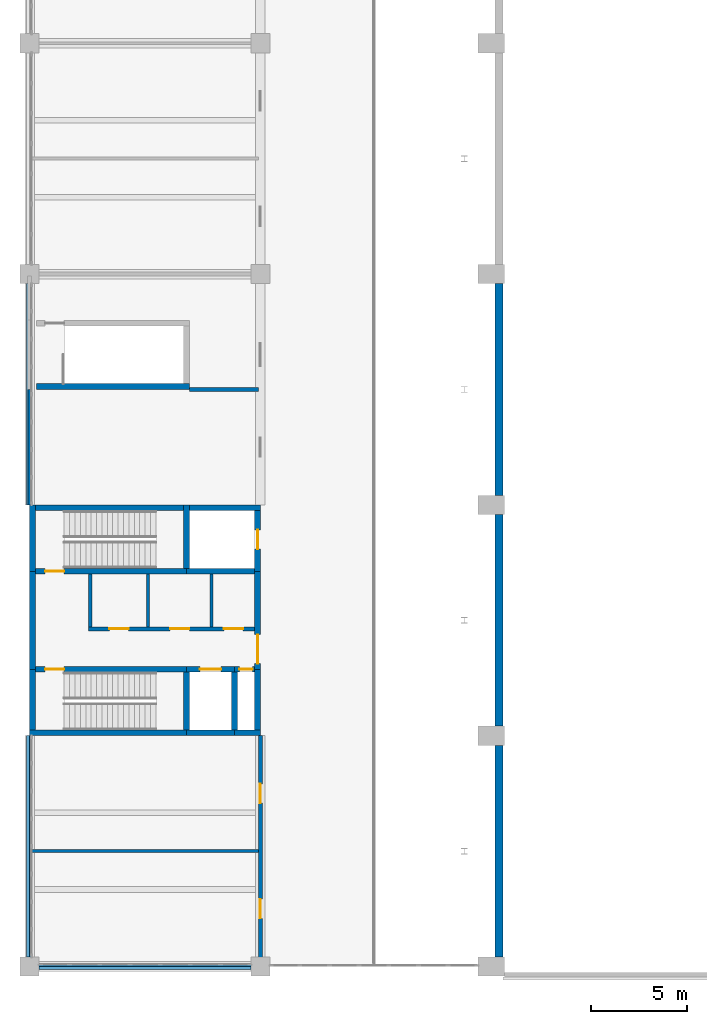
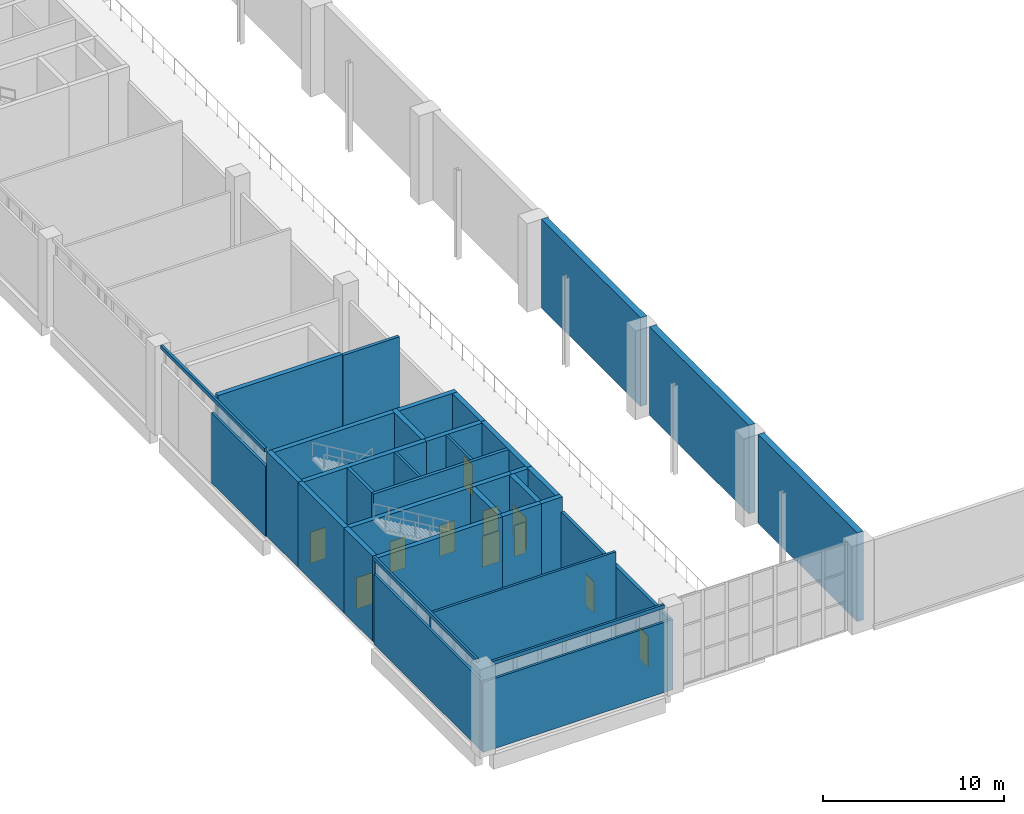
# One storey, part 50 of 72: 36 walls, 11 doors, 11 openings.
"""IFC4 building model written with IfcOpenShell, lengths in metres."""

from ifc_helpers import new_model, si_unit, direction, frame, frame_2d, origin, place, context, subcontext, project, spatial, rectangle, extrude, material, layer, layer_set, type_object, element, fill, save


model = new_model("IFC4")

# Units and contexts
model_context = context("Model", 3, precision=1e-05, world=origin(), true_north=direction((0.0, 1.0)))
body_context = subcontext(model_context, "Body", "Model", "MODEL_VIEW")
ifc_project = project(units=[si_unit("LENGTHUNIT", "METRE"), si_unit("AREAUNIT", "SQUARE_METRE"), si_unit("VOLUMEUNIT", "CUBIC_METRE"), si_unit("PLANEANGLEUNIT", "RADIAN"), si_unit("MASSUNIT", "GRAM", prefix="KILO")], contexts=[model_context])

# Site, building, storey
site_placement = place(None, origin())
site = spatial("IfcSite", under=ifc_project, at=site_placement, CompositionType="ELEMENT")
building_placement = place(site_placement, origin())
building = spatial("IfcBuilding", under=site, at=building_placement, Name="Lilac Gate Convention Centre", CompositionType="ELEMENT")
storey_placement = place(building_placement, frame((0.0, 0.0, 6.0)))
storey = spatial("IfcBuildingStorey", under=building, at=storey_placement, Name="L01", CompositionType="ELEMENT", Elevation=6.0)

# Walls
ifc_material_1 = material(Name="Concrete C30", Category="concrete")
ifc_layer_1 = layer(ifc_material_1, 0.39990234375)
ifc_layer_set_1 = layer_set([ifc_layer_1], Name="Concrete C30")
wall_type_1 = type_object("IfcWallType", Name="Hall fire wall 400", PredefinedType="SOLIDWALL", material=ifc_layer_set_1)
for number, where, z_axis, x_axis, name in (
    (1, (30.39990234375, 30.5, 0.0), (0.0, 0.0, 1.0), (0.0, 1.0, 0.0), "Fire wall galleria FW L01 1"),
    (2, (30.39990234375, 42.5, 0.0), (0.0, 0.0, 1.0), (0.0, 1.0, 0.0), "Fire wall galleria FW L01 2"),
    (3, (30.39990234375, 54.5, 0.0), (0.0, 0.0, 1.0), (0.0, 1.0, 0.0), "Fire wall galleria FW L01 3"),
):
    element("IfcWall", number, at=place(storey_placement, frame(where, z_axis=z_axis, x_axis=x_axis)), inside=storey, type_object=wall_type_1, Name=name, PredefinedType="SOLIDWALL", context=body_context, shape_type="SweptSolid", body=[
        extrude(rectangle(XDim=11.0, YDim=0.39990234375, at=frame_2d((5.5, 0.0))), origin(), (0.0, 0.0, 1.0), 6.0),
    ])
ifc_material_2 = material(Name="Fire-rated gypsum board on steel stud", Category="steel")
ifc_layer_2 = layer(ifc_material_2, 0.14990234375)
ifc_layer_set_2 = layer_set([ifc_layer_2], Name="Fire-rated gypsum board on steel stud")
wall_type_2 = type_object("IfcWallType", Name="Partition 150 fire-rated gypsum board EI 60", PredefinedType="PARTITIONING", material=ifc_layer_set_2)
wall_1_placement = place(storey_placement, frame((5.925048828125, 30.0, 0.0), z_axis=(0.0, 0.0, 1.0), x_axis=(1.0, 0.0, 0.0)))
element("IfcWall", 4, at=wall_1_placement, inside=storey, type_object=wall_type_2, Name="Partition 150 fire-rated gypsum board EI 60", PredefinedType="PARTITIONING", context=body_context, shape_type="SweptSolid", body=[
    extrude(rectangle(XDim=12.175048828125, YDim=0.14990234375, at=frame_2d((6.08740234375, 0.0))), origin(), (0.0, 0.0, 1.0), 4.75),
])
wall_2_placement = place(storey_placement, frame((6.074951171875, 36.0, 0.0), z_axis=(0.0, 0.0, 1.0), x_axis=(1.0, 0.0, 0.0)))
element("IfcWall", 5, at=wall_2_placement, inside=storey, type_object=wall_type_2, Name="Partition 150 fire-rated gypsum board EI 60", PredefinedType="PARTITIONING", context=body_context, shape_type="SweptSolid", body=[
    extrude(rectangle(XDim=11.824951171875, YDim=0.14990234375, at=frame_2d((5.91259765625, 0.0))), origin(), (0.0, 0.0, 1.0), 5.75),
])
wall_3_placement = place(storey_placement, frame((6.0, 30.074951171875, 0.0), z_axis=(0.0, 0.0, 1.0), x_axis=(0.0, 1.0, 0.0)))
element("IfcWall", 6, at=wall_3_placement, inside=storey, type_object=wall_type_2, Name="Partition 150 fire-rated gypsum board EI 60", PredefinedType="PARTITIONING", context=body_context, shape_type="SweptSolid", body=[
    extrude(rectangle(XDim=11.925048828125, YDim=0.14990234375, at=frame_2d((5.96240234375, 0.0))), origin(), (0.0, 0.0, 1.0), 4.75),
])
wall_4_placement = place(storey_placement, frame((6.0, 54.0, 0.0), z_axis=(0.0, 0.0, 1.0), x_axis=(0.0, 1.0, 0.0)))
element("IfcWall", 7, at=wall_4_placement, inside=storey, type_object=wall_type_2, Name="Partition 150 fire-rated gypsum board EI 60", PredefinedType="PARTITIONING", context=body_context, shape_type="SweptSolid", body=[
    extrude(rectangle(XDim=6.0, YDim=0.14990234375, at=frame_2d((3.0, 0.0))), origin(), (0.0, 0.0, 1.0), 4.75),
])
for number, where, z_axis, x_axis, name in (
    (8, (12.14990234375, 47.64990234375, 0.0), (0.0, 0.0, 1.0), (0.0, 1.0, 0.0), "Partition 150 fire-rated gypsum board EI 60"),
    (9, (15.449951171875, 47.64990234375, 0.0), (0.0, 0.0, 1.0), (0.0, 1.0, 0.0), "Partition 150 fire-rated gypsum board EI 60"),
):
    element("IfcWall", number, at=place(storey_placement, frame(where, z_axis=z_axis, x_axis=x_axis)), inside=storey, type_object=wall_type_2, Name=name, PredefinedType="PARTITIONING", context=body_context, shape_type="SweptSolid", body=[
        extrude(rectangle(XDim=2.75, YDim=0.14990234375, at=frame_2d((1.375, 0.0))), origin(), (0.0, 0.0, 1.0), 5.75),
    ])

# Wall, openings, doors
ifc_material_3 = material(Name="Clay brick masonry", Category="masonry")
ifc_layer_3 = layer(ifc_material_3, 0.199951171875)
ifc_layer_set_3 = layer_set([ifc_layer_3], Name="Clay brick masonry")
wall_type_3 = type_object("IfcWallType", Name="Partition 200 brick EI 60", PredefinedType="PARTITIONING", material=ifc_layer_set_3)
wall_5_placement = place(storey_placement, frame((9.050048828125, 47.550048828125, 0.0), z_axis=(0.0, 0.0, 1.0), x_axis=(1.0, 0.0, 0.0)))
wall_5 = element("IfcWall", 10, at=wall_5_placement, inside=storey, type_object=wall_type_3, Name="Partition 200 brick EI 60", PredefinedType="PARTITIONING", context=body_context, shape_type="SweptSolid", body=[
    extrude(rectangle(XDim=8.64990234375, YDim=0.199951171875, at=frame_2d((4.324951171875, 0.0))), origin(), (0.0, 0.0, 1.0), 5.75),
])
opening_1_placement = place(wall_5_placement, frame((1.10009765625, 0.0, 0.0)))
opening_1 = element("IfcOpeningElement", 11, at=opening_1_placement, cuts=wall_5, Name="Opening L01-006", PredefinedType="OPENING", context=body_context, shape_type="SweptSolid", body=[
    extrude(rectangle(XDim=1.0, YDim=2.10009765625, at=frame_2d((0.5, 1.050048828125))), frame((0.0, 0.10986328125, 0.0), z_axis=(0.0, -1.0, 0.0), x_axis=(1.0, 0.0, 0.0)), (0.0, 0.0, 1.0), 0.219970703125),
])
opening_2_placement = place(wall_5_placement, frame((4.25, 0.0, 0.0)))
opening_2 = element("IfcOpeningElement", 12, at=opening_2_placement, cuts=wall_5, Name="Opening L01-007", PredefinedType="OPENING", context=body_context, shape_type="SweptSolid", body=[
    extrude(rectangle(XDim=1.0, YDim=2.10009765625, at=frame_2d((0.5, 1.050048828125))), frame((0.0, 0.10986328125, 0.0), z_axis=(0.0, -1.0, 0.0), x_axis=(1.0, 0.0, 0.0)), (0.0, 0.0, 1.0), 0.219970703125),
])
opening_3_placement = place(wall_5_placement, frame((7.050048828125, 0.0, 0.0)))
opening_3 = element("IfcOpeningElement", 13, at=opening_3_placement, cuts=wall_5, Name="Opening L01-008", PredefinedType="OPENING", context=body_context, shape_type="SweptSolid", body=[
    extrude(rectangle(XDim=1.0, YDim=2.10009765625, at=frame_2d((0.5, 1.050048828125))), frame((0.0, 0.10986328125, 0.0), z_axis=(0.0, -1.0, 0.0), x_axis=(1.0, 0.0, 0.0)), (0.0, 0.0, 1.0), 0.219970703125),
])
ifc_material_4 = material(Name="Timber fire door leaf", Category="wood")
door_type_1 = type_object("IfcDoorType", Name="Door 1000 x 2100 single leaf FD30", OperationType="SINGLE_SWING_LEFT", PredefinedType="DOOR", material=ifc_material_4)
door_1_placement = place(opening_1_placement, origin())
door_1 = element("IfcDoor", 14, at=door_1_placement, inside=storey, type_object=door_type_1, Name="WC door L01-006", OperationType="SINGLE_SWING_RIGHT", OverallHeight=2.10009765625, OverallWidth=1.0, PredefinedType="DOOR", context=body_context, shape_type="SweptSolid", body=[
    extrude(rectangle(XDim=1.0, YDim=2.10009765625, at=frame_2d((0.5, 1.050048828125))), frame((0.0, 0.02490234375, 0.0), z_axis=(0.0, -1.0, 0.0), x_axis=(1.0, 0.0, 0.0)), (0.0, 0.0, 1.0), 0.050048828125),
])
fill(opening_1, door_1)
door_2_placement = place(opening_2_placement, origin())
door_2 = element("IfcDoor", 15, at=door_2_placement, inside=storey, type_object=door_type_1, Name="WC door L01-007", OperationType="SINGLE_SWING_LEFT", OverallHeight=2.10009765625, OverallWidth=1.0, PredefinedType="DOOR", context=body_context, shape_type="SweptSolid", body=[
    extrude(rectangle(XDim=1.0, YDim=2.10009765625, at=frame_2d((0.5, 1.050048828125))), frame((0.0, 0.02490234375, 0.0), z_axis=(0.0, -1.0, 0.0), x_axis=(1.0, 0.0, 0.0)), (0.0, 0.0, 1.0), 0.050048828125),
])
fill(opening_2, door_2)
door_3_placement = place(opening_3_placement, origin())
door_3 = element("IfcDoor", 16, at=door_3_placement, inside=storey, type_object=door_type_1, Name="Accessible WC door L01-008", OperationType="SINGLE_SWING_LEFT", OverallHeight=2.10009765625, OverallWidth=1.0, PredefinedType="DOOR", context=body_context, shape_type="SweptSolid", body=[
    extrude(rectangle(XDim=1.0, YDim=2.10009765625, at=frame_2d((0.5, 1.050048828125))), frame((0.0, 0.02490234375, 0.0), z_axis=(0.0, -1.0, 0.0), x_axis=(1.0, 0.0, 0.0)), (0.0, 0.0, 1.0), 0.050048828125),
])
fill(opening_3, door_3)

# Walls
wall_6_placement = place(storey_placement, frame((14.300048828125, 60.0, 0.0), z_axis=(0.0, 0.0, 1.0), x_axis=(1.0, 0.0, 0.0)))
element("IfcWall", 17, at=wall_6_placement, inside=storey, type_object=wall_type_3, Name="Partition 200 brick EI 60", PredefinedType="PARTITIONING", context=body_context, shape_type="SweptSolid", body=[
    extrude(rectangle(XDim=3.599853515625, YDim=0.199951171875, at=frame_2d((1.7998046875, 0.0))), origin(), (0.0, 0.0, 1.0), 5.75),
])
wall_7_placement = place(storey_placement, frame((9.14990234375, 47.64990234375, 0.0), z_axis=(0.0, 0.0, 1.0), x_axis=(0.0, 1.0, 0.0)))
element("IfcWall", 18, at=wall_7_placement, inside=storey, type_object=wall_type_3, Name="Partition 200 brick EI 60", PredefinedType="PARTITIONING", context=body_context, shape_type="SweptSolid", body=[
    extrude(rectangle(XDim=2.75, YDim=0.199951171875, at=frame_2d((1.375, 0.0))), origin(), (0.0, 0.0, 1.0), 5.75),
])

# Wall, openings, doors
wall_8_placement = place(storey_placement, frame((18.0, 30.074951171875, 0.0), z_axis=(0.0, 0.0, 1.0), x_axis=(0.0, 1.0, 0.0)))
wall_8 = element("IfcWall", 19, at=wall_8_placement, inside=storey, type_object=wall_type_3, Name="Partition 200 brick EI 60", PredefinedType="PARTITIONING", context=body_context, shape_type="SweptSolid", body=[
    extrude(rectangle(XDim=11.925048828125, YDim=0.199951171875, at=frame_2d((5.96240234375, 0.0))), origin(), (0.0, 0.0, 1.0), 4.75),
])
opening_4_placement = place(wall_8_placement, frame((2.425048828125, 0.0, 0.0)))
opening_4 = element("IfcOpeningElement", 20, at=opening_4_placement, cuts=wall_8, Name="Opening L01-001", PredefinedType="OPENING", context=body_context, shape_type="SweptSolid", body=[
    extrude(rectangle(XDim=1.0, YDim=2.10009765625, at=frame_2d((0.5, 1.050048828125))), frame((0.0, 0.10986328125, 0.0), z_axis=(0.0, -1.0, 0.0), x_axis=(1.0, 0.0, 0.0)), (0.0, 0.0, 1.0), 0.219970703125),
])
opening_5_placement = place(wall_8_placement, frame((8.425048828125, 0.0, 0.0)))
opening_5 = element("IfcOpeningElement", 21, at=opening_5_placement, cuts=wall_8, Name="Opening L01-002", PredefinedType="OPENING", context=body_context, shape_type="SweptSolid", body=[
    extrude(rectangle(XDim=1.0, YDim=2.10009765625, at=frame_2d((0.5, 1.050048828125))), frame((0.0, 0.10986328125, 0.0), z_axis=(0.0, -1.0, 0.0), x_axis=(1.0, 0.0, 0.0)), (0.0, 0.0, 1.0), 0.219970703125),
])
door_4_placement = place(opening_4_placement, origin())
door_4 = element("IfcDoor", 22, at=door_4_placement, inside=storey, type_object=door_type_1, Name="Meeting room door L01-001", OperationType="SINGLE_SWING_RIGHT", OverallHeight=2.10009765625, OverallWidth=1.0, PredefinedType="DOOR", context=body_context, shape_type="SweptSolid", body=[
    extrude(rectangle(XDim=1.0, YDim=2.10009765625, at=frame_2d((0.5, 1.050048828125))), frame((0.0, 0.02490234375, 0.0), z_axis=(0.0, -1.0, 0.0), x_axis=(1.0, 0.0, 0.0)), (0.0, 0.0, 1.0), 0.050048828125),
])
fill(opening_4, door_4)
door_5_placement = place(opening_5_placement, origin())
door_5 = element("IfcDoor", 23, at=door_5_placement, inside=storey, type_object=door_type_1, Name="Meeting room door L01-002", OperationType="SINGLE_SWING_RIGHT", OverallHeight=2.10009765625, OverallWidth=1.0, PredefinedType="DOOR", context=body_context, shape_type="SweptSolid", body=[
    extrude(rectangle(XDim=1.0, YDim=2.10009765625, at=frame_2d((0.5, 1.050048828125))), frame((0.0, 0.02490234375, 0.0), z_axis=(0.0, -1.0, 0.0), x_axis=(1.0, 0.0, 0.0)), (0.0, 0.0, 1.0), 0.050048828125),
])
fill(opening_5, door_5)

# Walls
ifc_material_5 = material(Name="Concrete C40 precast", Category="concrete")
ifc_layer_4 = layer(ifc_material_5, 0.1298828125)
ifc_material_6 = material(Name="Ochre mineral render")
ifc_layer_5 = layer(ifc_material_6, 0.02001953125)
ifc_layer_set_4 = layer_set([ifc_layer_4, ifc_layer_5], Name="Concrete C40 precast, Ochre mineral render")
wall_type_4 = type_object("IfcWallType", Name="Precast band ochre 150", PredefinedType="STANDARD", material=ifc_layer_set_4)
for number, where, z_axis, x_axis, name in (
    (24, (5.925048828125, 65.5, 5.75), (0.0, 0.0, 1.0), (0.0, -1.0, 0.0), "Precast band PW L01 11"),
    (25, (5.925048828125, 42.0, 5.75), (0.0, 0.0, 1.0), (0.0, -1.0, 0.0), "Precast band PW L01 12"),
):
    element("IfcWall", number, at=place(storey_placement, frame(where, z_axis=z_axis, x_axis=x_axis)), inside=storey, type_object=wall_type_4, Name=name, PredefinedType="STANDARD", context=body_context, shape_type="SweptSolid", body=[
        extrude(rectangle(XDim=11.5, YDim=0.14990234375, at=frame_2d((5.75, 0.0))), origin(), (0.0, 0.0, 1.0), 0.25),
    ])
wall_9_placement = place(storey_placement, frame((6.5, 29.925048828125, 5.75), z_axis=(0.0, 0.0, 1.0), x_axis=(1.0, 0.0, 0.0)))
element("IfcWall", 26, at=wall_9_placement, inside=storey, type_object=wall_type_4, Name="Precast band PS L01 1", PredefinedType="STANDARD", context=body_context, shape_type="SweptSolid", body=[
    extrude(rectangle(XDim=11.0, YDim=0.14990234375, at=frame_2d((5.5, 0.0))), origin(), (0.0, 0.0, 1.0), 0.25),
])
ifc_material_7 = material(Name="Concrete C40", Category="concrete")
ifc_layer_6 = layer(ifc_material_7, 0.300048828125)
ifc_layer_set_5 = layer_set([ifc_layer_6], Name="Concrete C40")
wall_type_5 = type_object("IfcWallType", Name="Shear wall 300 C40", PredefinedType="SHEAR", material=ifc_layer_set_5)
wall_10_placement = place(storey_placement, frame((6.35009765625, 60.14990234375, 0.0), z_axis=(0.0, 0.0, 1.0), x_axis=(1.0, 0.0, 0.0)))
element("IfcWall", 27, at=wall_10_placement, inside=storey, type_object=wall_type_5, Name="SW1 shear wall UW1 L01 1", PredefinedType="SHEAR", context=body_context, shape_type="SweptSolid", body=[
    extrude(rectangle(XDim=7.949951171875, YDim=0.300048828125, at=frame_2d((3.97509765625, 0.0))), origin(), (0.0, 0.0, 1.0), 5.75),
])
wall_11_placement = place(storey_placement, frame((6.0, 42.14990234375, 0.0), z_axis=(0.0, 0.0, 1.0), x_axis=(1.0, 0.0, 0.0)))
element("IfcWall", 28, at=wall_11_placement, inside=storey, type_object=wall_type_5, Name="SW1 shear wall W1 L01 1", PredefinedType="SHEAR", context=body_context, shape_type="SweptSolid", body=[
    extrude(rectangle(XDim=8.14990234375, YDim=0.300048828125, at=frame_2d((4.074951171875, 0.0))), origin(), (0.0, 0.0, 1.0), 5.75),
])
wall_12_placement = place(storey_placement, frame((14.14990234375, 42.14990234375, 0.0), z_axis=(0.0, 0.0, 1.0), x_axis=(1.0, 0.0, 0.0)))
element("IfcWall", 29, at=wall_12_placement, inside=storey, type_object=wall_type_5, Name="SW1 shear wall W1 L01 2", PredefinedType="SHEAR", context=body_context, shape_type="SweptSolid", body=[
    extrude(rectangle(XDim=2.5, YDim=0.300048828125, at=frame_2d((1.25, 0.0))), origin(), (0.0, 0.0, 1.0), 5.75),
])
wall_13_placement = place(storey_placement, frame((16.64990234375, 42.14990234375, 0.0), z_axis=(0.0, 0.0, 1.0), x_axis=(1.0, 0.0, 0.0)))
element("IfcWall", 30, at=wall_13_placement, inside=storey, type_object=wall_type_5, Name="SW1 shear wall W1 L01 3", PredefinedType="SHEAR", context=body_context, shape_type="SweptSolid", body=[
    extrude(rectangle(XDim=1.35009765625, YDim=0.300048828125, at=frame_2d((0.675048828125, 0.0))), origin(), (0.0, 0.0, 1.0), 5.75),
])
wall_14_placement = place(storey_placement, frame((6.0, 53.85009765625, 0.0), z_axis=(0.0, 0.0, 1.0), x_axis=(1.0, 0.0, 0.0)))
element("IfcWall", 31, at=wall_14_placement, inside=storey, type_object=wall_type_5, Name="SW1 shear wall W1 L01 4", PredefinedType="SHEAR", context=body_context, shape_type="SweptSolid", body=[
    extrude(rectangle(XDim=8.14990234375, YDim=0.300048828125, at=frame_2d((4.074951171875, 0.0))), origin(), (0.0, 0.0, 1.0), 5.75),
])
wall_15_placement = place(storey_placement, frame((14.14990234375, 53.85009765625, 0.0), z_axis=(0.0, 0.0, 1.0), x_axis=(1.0, 0.0, 0.0)))
element("IfcWall", 32, at=wall_15_placement, inside=storey, type_object=wall_type_5, Name="SW1 shear wall W1 L01 5", PredefinedType="SHEAR", context=body_context, shape_type="SweptSolid", body=[
    extrude(rectangle(XDim=3.85009765625, YDim=0.300048828125, at=frame_2d((1.925048828125, 0.0))), origin(), (0.0, 0.0, 1.0), 5.75),
])

# Wall, opening, door
wall_16_placement = place(storey_placement, frame((6.300048828125, 45.449951171875, 0.0), z_axis=(0.0, 0.0, 1.0), x_axis=(1.0, 0.0, 0.0)))
wall_16 = element("IfcWall", 33, at=wall_16_placement, inside=storey, type_object=wall_type_5, Name="SW1 shear wall W1 L01 6", PredefinedType="SHEAR", context=body_context, shape_type="SweptSolid", body=[
    extrude(rectangle(XDim=7.849853515625, YDim=0.300048828125, at=frame_2d((3.9248046875, 0.0))), origin(), (0.0, 0.0, 1.0), 5.75),
])
opening_6_placement = place(wall_16_placement, frame((0.5, 0.0, 0.0)))
opening_6 = element("IfcOpeningElement", 34, at=opening_6_placement, cuts=wall_16, Name="Opening L01-003", PredefinedType="OPENING", context=body_context, shape_type="SweptSolid", body=[
    extrude(rectangle(XDim=1.0, YDim=2.10009765625, at=frame_2d((0.5, 1.050048828125))), frame((0.0, 0.159912109375, 0.0), z_axis=(0.0, -1.0, 0.0), x_axis=(1.0, 0.0, 0.0)), (0.0, 0.0, 1.0), 0.320068359375),
])
door_type_2 = type_object("IfcDoorType", Name="Door 1000 x 2100 single leaf FD60", OperationType="SINGLE_SWING_LEFT", PredefinedType="DOOR", material=ifc_material_4)
door_6_placement = place(opening_6_placement, frame((1.0, 0.0, 0.0), z_axis=(0.0, 0.0, 1.0), x_axis=(-1.0, 0.0, 0.0)))
door_6 = element("IfcDoor", 35, at=door_6_placement, inside=storey, type_object=door_type_2, Name="Stair door L01-003", OperationType="SINGLE_SWING_LEFT", OverallHeight=2.10009765625, OverallWidth=1.0, PredefinedType="DOOR", context=body_context, shape_type="SweptSolid", body=[
    extrude(rectangle(XDim=1.0, YDim=2.10009765625, at=frame_2d((0.5, 1.050048828125))), frame((0.0, 0.02490234375, 0.0), z_axis=(0.0, -1.0, 0.0), x_axis=(1.0, 0.0, 0.0)), (0.0, 0.0, 1.0), 0.050048828125),
])
fill(opening_6, door_6)

wall_17_placement = place(storey_placement, frame((14.14990234375, 45.449951171875, 0.0), z_axis=(0.0, 0.0, 1.0), x_axis=(1.0, 0.0, 0.0)))
wall_17 = element("IfcWall", 36, at=wall_17_placement, inside=storey, type_object=wall_type_5, Name="SW1 shear wall W1 L01 7", PredefinedType="SHEAR", context=body_context, shape_type="SweptSolid", body=[
    extrude(rectangle(XDim=2.5, YDim=0.300048828125, at=frame_2d((1.25, 0.0))), origin(), (0.0, 0.0, 1.0), 5.75),
])
opening_7_placement = place(wall_17_placement, frame((0.699951171875, 0.0, 0.0)))
opening_7 = element("IfcOpeningElement", 37, at=opening_7_placement, cuts=wall_17, Name="Opening LDW1-01", PredefinedType="OPENING", context=body_context, shape_type="SweptSolid", body=[
    extrude(rectangle(XDim=1.10009765625, YDim=2.10009765625, at=frame_2d((0.550048828125, 1.050048828125))), frame((0.0, 0.159912109375, 0.0), z_axis=(0.0, -1.0, 0.0), x_axis=(1.0, 0.0, 0.0)), (0.0, 0.0, 1.0), 0.320068359375),
])
ifc_material_8 = material(Name="Stainless steel 304", Category="steel")
door_type_3 = type_object("IfcDoorType", Name="Lift landing door 1100 x 2100", OperationType="SLIDING_TO_LEFT", PredefinedType="DOOR", material=ifc_material_8)
door_7_placement = place(opening_7_placement, origin())
door_7 = element("IfcDoor", 38, at=door_7_placement, inside=storey, type_object=door_type_3, Name="Lift landing door LDW1-01", OperationType="SLIDING_TO_LEFT", OverallHeight=2.10009765625, OverallWidth=1.10009765625, PredefinedType="DOOR", context=body_context, shape_type="SweptSolid", body=[
    extrude(rectangle(XDim=1.10009765625, YDim=2.10009765625, at=frame_2d((0.550048828125, 1.050048828125))), frame((0.0, 0.02490234375, 0.0), z_axis=(0.0, -1.0, 0.0), x_axis=(1.0, 0.0, 0.0)), (0.0, 0.0, 1.0), 0.050048828125),
])
fill(opening_7, door_7)

wall_18_placement = place(storey_placement, frame((16.64990234375, 45.449951171875, 0.0), z_axis=(0.0, 0.0, 1.0), x_axis=(1.0, 0.0, 0.0)))
wall_18 = element("IfcWall", 39, at=wall_18_placement, inside=storey, type_object=wall_type_5, Name="SW1 shear wall W1 L01 8", PredefinedType="SHEAR", context=body_context, shape_type="SweptSolid", body=[
    extrude(rectangle(XDim=1.050048828125, YDim=0.300048828125, at=frame_2d((0.52490234375, 0.0))), origin(), (0.0, 0.0, 1.0), 5.75),
])
opening_8_placement = place(wall_18_placement, frame((0.25, 0.0, 0.0)))
opening_8 = element("IfcOpeningElement", 40, at=opening_8_placement, cuts=wall_18, Name="Opening L01-004", PredefinedType="OPENING", context=body_context, shape_type="SweptSolid", body=[
    extrude(rectangle(XDim=0.699951171875, YDim=2.10009765625, at=frame_2d((0.35009765625, 1.050048828125))), frame((0.0, 0.159912109375, 0.0), z_axis=(0.0, -1.0, 0.0), x_axis=(1.0, 0.0, 0.0)), (0.0, 0.0, 1.0), 0.320068359375),
])
door_type_4 = type_object("IfcDoorType", Name="Door 700 x 2100 single leaf FD30", OperationType="SINGLE_SWING_LEFT", PredefinedType="DOOR", material=ifc_material_4)
door_8_placement = place(opening_8_placement, frame((0.699951171875, 0.0, 0.0), z_axis=(0.0, 0.0, 1.0), x_axis=(-1.0, 0.0, 0.0)))
door_8 = element("IfcDoor", 41, at=door_8_placement, inside=storey, type_object=door_type_4, Name="Riser access door L01-004", OperationType="SINGLE_SWING_LEFT", OverallHeight=2.10009765625, OverallWidth=0.699951171875, PredefinedType="DOOR", context=body_context, shape_type="SweptSolid", body=[
    extrude(rectangle(XDim=0.699951171875, YDim=2.10009765625, at=frame_2d((0.35009765625, 1.050048828125))), frame((0.0, 0.02490234375, 0.0), z_axis=(0.0, -1.0, 0.0), x_axis=(1.0, 0.0, 0.0)), (0.0, 0.0, 1.0), 0.050048828125),
])
fill(opening_8, door_8)

wall_19_placement = place(storey_placement, frame((6.300048828125, 50.550048828125, 0.0), z_axis=(0.0, 0.0, 1.0), x_axis=(1.0, 0.0, 0.0)))
wall_19 = element("IfcWall", 42, at=wall_19_placement, inside=storey, type_object=wall_type_5, Name="SW1 shear wall W1 L01 9", PredefinedType="SHEAR", context=body_context, shape_type="SweptSolid", body=[
    extrude(rectangle(XDim=7.849853515625, YDim=0.300048828125, at=frame_2d((3.9248046875, 0.0))), origin(), (0.0, 0.0, 1.0), 5.75),
])
opening_9_placement = place(wall_19_placement, frame((0.5, 0.0, 0.0)))
opening_9 = element("IfcOpeningElement", 43, at=opening_9_placement, cuts=wall_19, Name="Opening L01-009", PredefinedType="OPENING", context=body_context, shape_type="SweptSolid", body=[
    extrude(rectangle(XDim=1.0, YDim=2.10009765625, at=frame_2d((0.5, 1.050048828125))), frame((0.0, 0.159912109375, 0.0), z_axis=(0.0, -1.0, 0.0), x_axis=(1.0, 0.0, 0.0)), (0.0, 0.0, 1.0), 0.320068359375),
])
door_9_placement = place(opening_9_placement, origin())
door_9 = element("IfcDoor", 44, at=door_9_placement, inside=storey, type_object=door_type_2, Name="Stair door L01-009", OperationType="SINGLE_SWING_RIGHT", OverallHeight=2.10009765625, OverallWidth=1.0, PredefinedType="DOOR", context=body_context, shape_type="SweptSolid", body=[
    extrude(rectangle(XDim=1.0, YDim=2.10009765625, at=frame_2d((0.5, 1.050048828125))), frame((0.0, 0.02490234375, 0.0), z_axis=(0.0, -1.0, 0.0), x_axis=(1.0, 0.0, 0.0)), (0.0, 0.0, 1.0), 0.050048828125),
])
fill(opening_9, door_9)

# Walls
wall_20_placement = place(storey_placement, frame((14.14990234375, 50.550048828125, 0.0), z_axis=(0.0, 0.0, 1.0), x_axis=(1.0, 0.0, 0.0)))
element("IfcWall", 45, at=wall_20_placement, inside=storey, type_object=wall_type_5, Name="SW1 shear wall W1 L01 10", PredefinedType="SHEAR", context=body_context, shape_type="SweptSolid", body=[
    extrude(rectangle(XDim=3.550048828125, YDim=0.300048828125, at=frame_2d((1.77490234375, 0.0))), origin(), (0.0, 0.0, 1.0), 5.75),
])
wall_21_placement = place(storey_placement, frame((6.14990234375, 42.300048828125, 0.0), z_axis=(0.0, 0.0, 1.0), x_axis=(0.0, 1.0, 0.0)))
element("IfcWall", 46, at=wall_21_placement, inside=storey, type_object=wall_type_5, Name="SW1 shear wall W1 L01 11", PredefinedType="SHEAR", context=body_context, shape_type="SweptSolid", body=[
    extrude(rectangle(XDim=3.14990234375, YDim=0.300048828125, at=frame_2d((1.574951171875, 0.0))), origin(), (0.0, 0.0, 1.0), 5.75),
])
wall_22_placement = place(storey_placement, frame((6.14990234375, 45.449951171875, 0.0), z_axis=(0.0, 0.0, 1.0), x_axis=(0.0, 1.0, 0.0)))
element("IfcWall", 47, at=wall_22_placement, inside=storey, type_object=wall_type_5, Name="SW1 shear wall W1 L01 12", PredefinedType="SHEAR", context=body_context, shape_type="SweptSolid", body=[
    extrude(rectangle(XDim=5.10009765625, YDim=0.300048828125, at=frame_2d((2.550048828125, 0.0))), origin(), (0.0, 0.0, 1.0), 5.75),
])
wall_23_placement = place(storey_placement, frame((6.14990234375, 50.550048828125, 0.0), z_axis=(0.0, 0.0, 1.0), x_axis=(0.0, 1.0, 0.0)))
element("IfcWall", 48, at=wall_23_placement, inside=storey, type_object=wall_type_5, Name="SW1 shear wall W1 L01 13", PredefinedType="SHEAR", context=body_context, shape_type="SweptSolid", body=[
    extrude(rectangle(XDim=3.449951171875, YDim=0.300048828125, at=frame_2d((1.72509765625, 0.0))), origin(), (0.0, 0.0, 1.0), 5.75),
])
wall_24_placement = place(storey_placement, frame((17.85009765625, 42.300048828125, 0.0), z_axis=(0.0, 0.0, 1.0), x_axis=(0.0, 1.0, 0.0)))
element("IfcWall", 49, at=wall_24_placement, inside=storey, type_object=wall_type_5, Name="SW1 shear wall W1 L01 14", PredefinedType="SHEAR", context=body_context, shape_type="SweptSolid", body=[
    extrude(rectangle(XDim=3.14990234375, YDim=0.300048828125, at=frame_2d((1.574951171875, 0.0))), origin(), (0.0, 0.0, 1.0), 5.75),
])

# Wall, opening, door
wall_25_placement = place(storey_placement, frame((17.85009765625, 45.449951171875, 0.0), z_axis=(0.0, 0.0, 1.0), x_axis=(0.0, 1.0, 0.0)))
wall_25 = element("IfcWall", 50, at=wall_25_placement, inside=storey, type_object=wall_type_5, Name="SW1 shear wall W1 L01 15", PredefinedType="SHEAR", context=body_context, shape_type="SweptSolid", body=[
    extrude(rectangle(XDim=5.10009765625, YDim=0.300048828125, at=frame_2d((2.550048828125, 0.0))), origin(), (0.0, 0.0, 1.0), 5.75),
])
opening_10_placement = place(wall_25_placement, frame((0.300048828125, 0.0, 0.0)))
opening_10 = element("IfcOpeningElement", 51, at=opening_10_placement, cuts=wall_25, Name="Opening L01-005", PredefinedType="OPENING", context=body_context, shape_type="SweptSolid", body=[
    extrude(rectangle(XDim=1.5, YDim=2.10009765625, at=frame_2d((0.75, 1.050048828125))), frame((0.0, 0.159912109375, 0.0), z_axis=(0.0, -1.0, 0.0), x_axis=(1.0, 0.0, 0.0)), (0.0, 0.0, 1.0), 0.320068359375),
])
door_type_5 = type_object("IfcDoorType", Name="Door 1500 x 2100 double leaf FD30", OperationType="DOUBLE_DOOR_SINGLE_SWING", PredefinedType="DOOR", material=ifc_material_4)
door_10_placement = place(opening_10_placement, origin())
door_10 = element("IfcDoor", 52, at=door_10_placement, inside=storey, type_object=door_type_5, Name="Lobby door L01-005", OperationType="DOUBLE_DOOR_SINGLE_SWING", OverallHeight=2.10009765625, OverallWidth=1.5, PredefinedType="DOOR", context=body_context, shape_type="SweptSolid", body=[
    extrude(rectangle(XDim=1.5, YDim=2.10009765625, at=frame_2d((0.75, 1.050048828125))), frame((0.0, 0.02490234375, 0.0), z_axis=(0.0, -1.0, 0.0), x_axis=(1.0, 0.0, 0.0)), (0.0, 0.0, 1.0), 0.050048828125),
])
fill(opening_10, door_10)

wall_26_placement = place(storey_placement, frame((17.85009765625, 50.550048828125, 0.0), z_axis=(0.0, 0.0, 1.0), x_axis=(0.0, 1.0, 0.0)))
wall_26 = element("IfcWall", 53, at=wall_26_placement, inside=storey, type_object=wall_type_5, Name="SW1 shear wall W1 L01 16", PredefinedType="SHEAR", context=body_context, shape_type="SweptSolid", body=[
    extrude(rectangle(XDim=3.14990234375, YDim=0.300048828125, at=frame_2d((1.574951171875, 0.0))), origin(), (0.0, 0.0, 1.0), 5.75),
])
opening_11_placement = place(wall_26_placement, frame((1.14990234375, 0.0, 0.0)))
opening_11 = element("IfcOpeningElement", 54, at=opening_11_placement, cuts=wall_26, Name="Opening L01-010", PredefinedType="OPENING", context=body_context, shape_type="SweptSolid", body=[
    extrude(rectangle(XDim=1.0, YDim=2.10009765625, at=frame_2d((0.5, 1.050048828125))), frame((0.0, 0.159912109375, 0.0), z_axis=(0.0, -1.0, 0.0), x_axis=(1.0, 0.0, 0.0)), (0.0, 0.0, 1.0), 0.320068359375),
])
door_11_placement = place(opening_11_placement, origin())
door_11 = element("IfcDoor", 55, at=door_11_placement, inside=storey, type_object=door_type_1, Name="Riser access door L01-010", OperationType="SINGLE_SWING_RIGHT", OverallHeight=2.10009765625, OverallWidth=1.0, PredefinedType="DOOR", context=body_context, shape_type="SweptSolid", body=[
    extrude(rectangle(XDim=1.0, YDim=2.10009765625, at=frame_2d((0.5, 1.050048828125))), frame((0.0, 0.02490234375, 0.0), z_axis=(0.0, -1.0, 0.0), x_axis=(1.0, 0.0, 0.0)), (0.0, 0.0, 1.0), 0.050048828125),
])
fill(opening_11, door_11)

# Walls
wall_27_placement = place(storey_placement, frame((14.14990234375, 42.300048828125, 0.0), z_axis=(0.0, 0.0, 1.0), x_axis=(0.0, 1.0, 0.0)))
element("IfcWall", 56, at=wall_27_placement, inside=storey, type_object=wall_type_5, Name="SW1 shear wall W1 L01 17", PredefinedType="SHEAR", context=body_context, shape_type="SweptSolid", body=[
    extrude(rectangle(XDim=3.0, YDim=0.300048828125, at=frame_2d((1.5, 0.0))), origin(), (0.0, 0.0, 1.0), 5.75),
])
wall_28_placement = place(storey_placement, frame((14.14990234375, 50.699951171875, 0.0), z_axis=(0.0, 0.0, 1.0), x_axis=(0.0, 1.0, 0.0)))
element("IfcWall", 57, at=wall_28_placement, inside=storey, type_object=wall_type_5, Name="SW1 shear wall W1 L01 18", PredefinedType="SHEAR", context=body_context, shape_type="SweptSolid", body=[
    extrude(rectangle(XDim=3.300048828125, YDim=0.300048828125, at=frame_2d((1.64990234375, 0.0))), origin(), (0.0, 0.0, 1.0), 5.75),
])
wall_29_placement = place(storey_placement, frame((16.64990234375, 42.300048828125, 0.0), z_axis=(0.0, 0.0, 1.0), x_axis=(0.0, 1.0, 0.0)))
element("IfcWall", 58, at=wall_29_placement, inside=storey, type_object=wall_type_5, Name="SW1 shear wall W1 L01 19", PredefinedType="SHEAR", context=body_context, shape_type="SweptSolid", body=[
    extrude(rectangle(XDim=3.0, YDim=0.300048828125, at=frame_2d((1.5, 0.0))), origin(), (0.0, 0.0, 1.0), 5.75),
])

save(model, "model.ifc")
